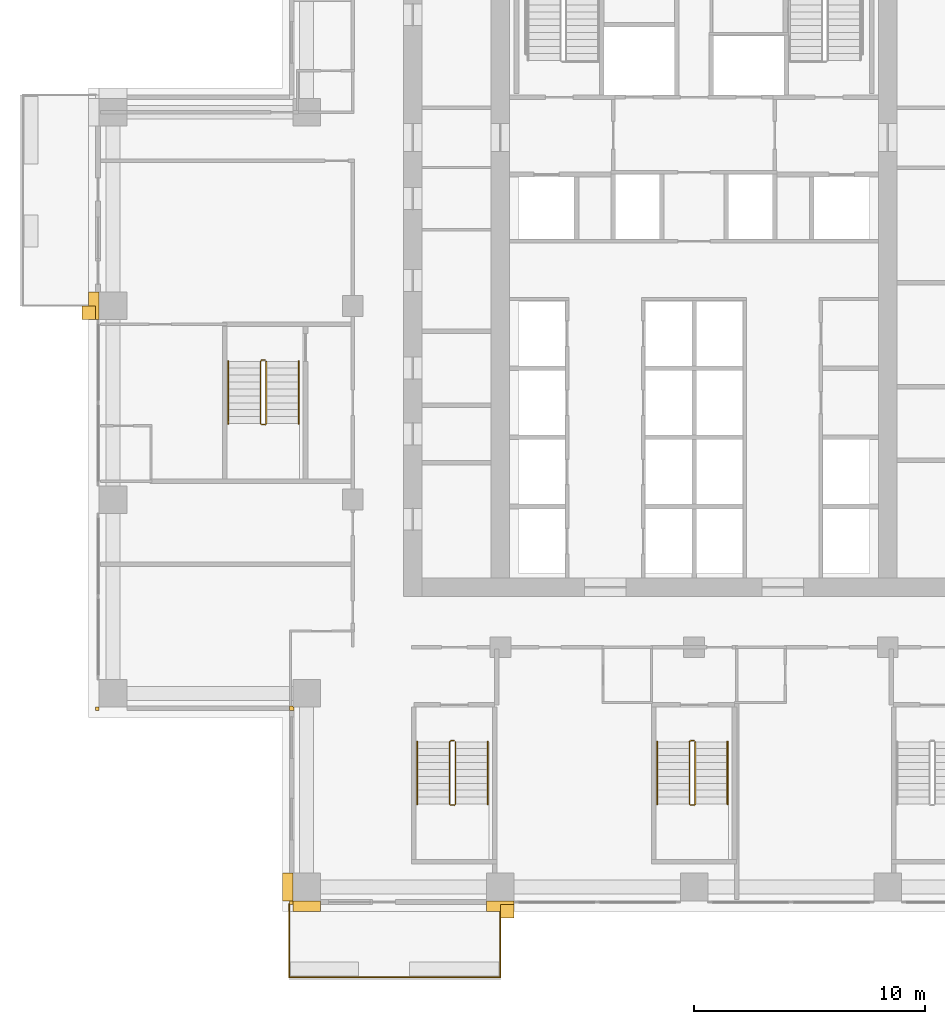
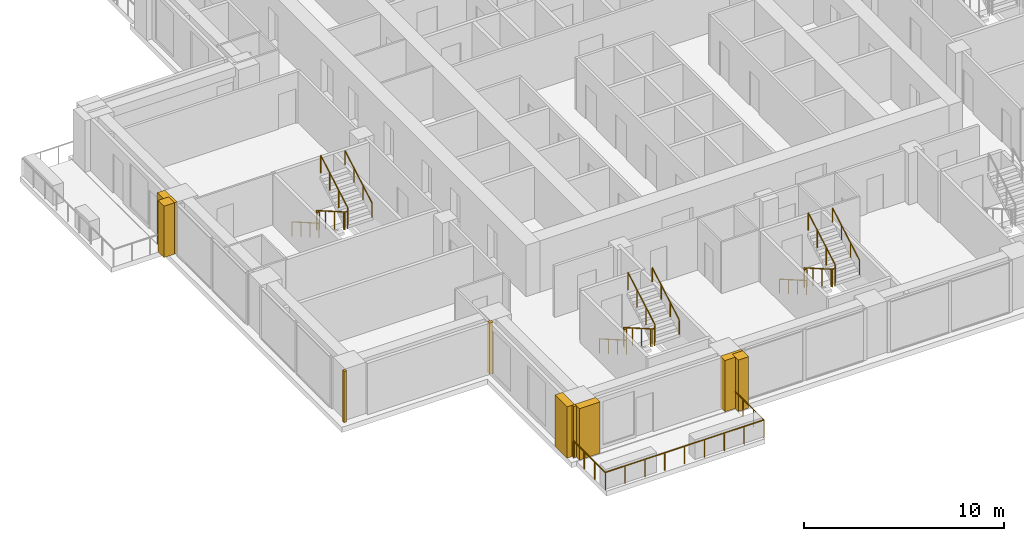
# One storey, part 14 of 17: 10 railings, 9 coverings.
"""IFC4 building model written with IfcOpenShell, lengths in metres."""

from ifc_helpers import new_model, si_unit, direction, frame, origin, origin_2d, place, context, subcontext, project, spatial, polyline, rectangle, outline, extrude, material, type_object, element, save


model = new_model("IFC4")

# Units and contexts
model_context = context("Model", 3, precision=1e-05, world=origin(), true_north=direction((0.0, 1.0)))
body_context = subcontext(model_context, "Body", "Model", "MODEL_VIEW")
ifc_project = project(units=[si_unit("LENGTHUNIT", "METRE"), si_unit("AREAUNIT", "SQUARE_METRE"), si_unit("VOLUMEUNIT", "CUBIC_METRE"), si_unit("PLANEANGLEUNIT", "RADIAN"), si_unit("MASSUNIT", "GRAM", prefix="KILO")], contexts=[model_context])

# Site, building, storey
site_placement = place(None, origin())
site = spatial("IfcSite", under=ifc_project, at=site_placement, CompositionType="ELEMENT")
building_placement = place(site_placement, origin())
building = spatial("IfcBuilding", under=site, at=building_placement, Name="Vermilion Ogive Tower", CompositionType="ELEMENT")
storey_placement = place(building_placement, frame((0.0, 0.0, 83.85009765625)))
storey = spatial("IfcBuildingStorey", under=building, at=storey_placement, Name="L20", CompositionType="ELEMENT", Elevation=83.85009765625)

# Railings
ifc_material_1 = material(Name="Stainless steel and glass", Category="steel")
railing_type_1 = type_object("IfcRailingType", Name="Balcony guard", PredefinedType="GUARDRAIL", material=ifc_material_1)
railing_1_placement = place(storey_placement, frame((-17.550048828125, -21.75, -0.0400390625)))
element("IfcRailing", 1, at=railing_1_placement, inside=storey, type_object=railing_type_1, Name="Guard S01", PredefinedType="GUARDRAIL", context=body_context, shape_type="SweptSolid", body=[
    extrude(rectangle(XDim=0.048095703125, YDim=0.048095703125, at=origin_2d()), frame((0.0, 0.0, 1.076171875), z_axis=(0.0, -1.0, 0.0), x_axis=(1.0, 0.0, 0.0)), (0.0, 0.0, 1.0), 3.159912109375),
    extrude(rectangle(XDim=0.048095703125, YDim=0.048095703125, at=origin_2d()), frame((0.0, -3.159912109375, 1.076171875), z_axis=(1.0, 0.0, 0.0), x_axis=(0.0, 1.0, 0.0)), (0.0, 0.0, 1.0), 9.150146484375),
    extrude(rectangle(XDim=0.048095703125, YDim=0.048095703125, at=origin_2d()), frame((9.150146484375, -3.159912109375, 1.076171875), z_axis=(0.0, 1.0, 0.0), x_axis=(-1.0, 0.0, 0.0)), (0.0, 0.0, 1.0), 3.159912109375),
    extrude(rectangle(XDim=0.0419921875, YDim=0.0419921875, at=origin_2d()), origin(), (0.0, 0.0, 1.0), 1.052001953125),
    extrude(rectangle(XDim=0.0419921875, YDim=0.0419921875, at=origin_2d()), frame((0.0, -1.05322265625, 0.0)), (0.0, 0.0, 1.0), 1.052001953125),
    extrude(rectangle(XDim=0.0419921875, YDim=0.0419921875, at=origin_2d()), frame((0.0, -2.106689453125, 0.0)), (0.0, 0.0, 1.0), 1.052001953125),
    extrude(rectangle(XDim=0.0419921875, YDim=0.0419921875, at=origin_2d()), frame((0.0, -3.159912109375, 0.0)), (0.0, 0.0, 1.0), 1.052001953125),
    extrude(rectangle(XDim=0.0419921875, YDim=0.0419921875, at=origin_2d()), frame((1.143798828125, -3.159912109375, 0.0)), (0.0, 0.0, 1.0), 1.052001953125),
    extrude(rectangle(XDim=0.0419921875, YDim=0.0419921875, at=origin_2d()), frame((2.28759765625, -3.159912109375, 0.0)), (0.0, 0.0, 1.0), 1.052001953125),
    extrude(rectangle(XDim=0.0419921875, YDim=0.0419921875, at=origin_2d()), frame((3.431396484375, -3.159912109375, 0.0)), (0.0, 0.0, 1.0), 1.052001953125),
    extrude(rectangle(XDim=0.0419921875, YDim=0.0419921875, at=origin_2d()), frame((4.5751953125, -3.159912109375, 0.0)), (0.0, 0.0, 1.0), 1.052001953125),
    extrude(rectangle(XDim=0.0419921875, YDim=0.0419921875, at=origin_2d()), frame((5.71875, -3.159912109375, 0.0)), (0.0, 0.0, 1.0), 1.052001953125),
    extrude(rectangle(XDim=0.0419921875, YDim=0.0419921875, at=origin_2d()), frame((6.862548828125, -3.159912109375, 0.0)), (0.0, 0.0, 1.0), 1.052001953125),
    extrude(rectangle(XDim=0.0419921875, YDim=0.0419921875, at=origin_2d()), frame((8.00634765625, -3.159912109375, 0.0)), (0.0, 0.0, 1.0), 1.052001953125),
    extrude(rectangle(XDim=0.0419921875, YDim=0.0419921875, at=origin_2d()), frame((9.150146484375, -3.159912109375, 0.0)), (0.0, 0.0, 1.0), 1.052001953125),
    extrude(rectangle(XDim=0.0419921875, YDim=0.0419921875, at=origin_2d()), frame((9.150146484375, -2.106689453125, 0.0)), (0.0, 0.0, 1.0), 1.052001953125),
    extrude(rectangle(XDim=0.0419921875, YDim=0.0419921875, at=origin_2d()), frame((9.150146484375, -1.05322265625, 0.0)), (0.0, 0.0, 1.0), 1.052001953125),
    extrude(rectangle(XDim=0.0419921875, YDim=0.0419921875, at=origin_2d()), frame((9.150146484375, 0.0, 0.0)), (0.0, 0.0, 1.0), 1.052001953125),
])
ifc_material_2 = material(Name="Steel S355 painted", Category="steel")
railing_type_2 = type_object("IfcRailingType", Name="Stair guard 1100", PredefinedType="GUARDRAIL", material=ifc_material_2)
railing_2_placement = place(storey_placement, frame((-10.39990234375, -14.64990234375, 0.0)))
element("IfcRailing", 2, at=railing_2_placement, inside=storey, type_object=railing_type_2, Name="L20 ST3 stair guard 4", PredefinedType="GUARDRAIL", context=body_context, shape_type="SweptSolid", body=[
    extrude(rectangle(XDim=0.048095703125, YDim=0.048095703125, at=origin_2d()), frame((0.0, 0.0, 1.076171875), z_axis=(-1.0, 0.0, 0.0), x_axis=(0.0, -1.0, 0.0)), (0.0, 0.0, 1.0), 0.150146484375),
    extrude(rectangle(XDim=0.048095703125, YDim=0.048095703125, at=origin_2d()), frame((-0.150146484375, 0.0, 1.076171875), z_axis=(-0.268603158521, -0.268603158521, 0.925043072762), x_axis=(0.707106781187, -0.707106781187, 0.0)), (0.0, 0.0, 1.0), 0.186279296875),
    extrude(rectangle(XDim=0.048095703125, YDim=0.048095703125, at=origin_2d()), frame((-0.2001953125, -0.050048828125, 1.24853515625), z_axis=(0.0, -0.866903762492, 0.498475542607), x_axis=(1.0, 0.0, 0.0)), (0.0, 0.0, 1.0), 3.114501953125),
    extrude(rectangle(XDim=0.048095703125, YDim=0.048095703125, at=origin_2d()), frame((-0.2001953125, -2.75, 2.80078125), z_axis=(0.707106781187, -0.707106781187, 0.0), x_axis=(0.707106781187, 0.707106781187, 0.0)), (0.0, 0.0, 1.0), 0.07080078125),
    extrude(rectangle(XDim=0.048095703125, YDim=0.048095703125, at=origin_2d()), frame((-0.150146484375, -2.800048828125, 2.80078125), z_axis=(1.0, 0.0, 0.0), x_axis=(0.0, 1.0, 0.0)), (0.0, 0.0, 1.0), 0.150146484375),
    extrude(rectangle(XDim=0.048095703125, YDim=0.048095703125, at=origin_2d()), frame((0.0, -2.800048828125, 2.80078125), z_axis=(0.267062837333, 0.268371968888, 0.925556009775), x_axis=(-0.708833529934, 0.705375805398, 0.0)), (0.0, 0.0, 1.0), 0.1865234375),
    extrude(rectangle(XDim=0.048095703125, YDim=0.048095703125, at=origin_2d()), frame((0.0498046875, -2.75, 2.9736328125), z_axis=(0.0, 0.866903762492, 0.498475542607), x_axis=(-1.0, 0.0, 0.0)), (0.0, 0.0, 1.0), 3.114501953125),
    extrude(rectangle(XDim=0.0419921875, YDim=0.0419921875, at=origin_2d()), origin(), (0.0, 0.0, 1.0), 1.052001953125),
    extrude(rectangle(XDim=0.0419921875, YDim=0.0419921875, at=origin_2d()), frame((-0.150146484375, 0.0, 0.0)), (0.0, 0.0, 1.0), 1.052001953125),
    extrude(rectangle(XDim=0.0419921875, YDim=0.0419921875, at=origin_2d()), frame((-0.2001953125, -0.050048828125, 0.17236328125)), (0.0, 0.0, 1.0), 1.052001953125),
    extrude(rectangle(XDim=0.0419921875, YDim=0.0419921875, at=origin_2d()), frame((-0.2001953125, -0.949951171875, 0.68994140625)), (0.0, 0.0, 1.0), 1.052001953125),
    extrude(rectangle(XDim=0.0419921875, YDim=0.0419921875, at=origin_2d()), frame((-0.2001953125, -1.85009765625, 1.207275390625)), (0.0, 0.0, 1.0), 1.052001953125),
    extrude(rectangle(XDim=0.0419921875, YDim=0.0419921875, at=origin_2d()), frame((-0.2001953125, -2.75, 1.724853515625)), (0.0, 0.0, 1.0), 1.052001953125),
    extrude(rectangle(XDim=0.0419921875, YDim=0.0419921875, at=origin_2d()), frame((-0.150146484375, -2.800048828125, 1.724853515625)), (0.0, 0.0, 1.0), 1.052001953125),
    extrude(rectangle(XDim=0.0419921875, YDim=0.0419921875, at=origin_2d()), frame((0.0, -2.800048828125, 1.724853515625)), (0.0, 0.0, 1.0), 1.052001953125),
    extrude(rectangle(XDim=0.0419921875, YDim=0.0419921875, at=origin_2d()), frame((0.0498046875, -2.75, 1.8974609375)), (0.0, 0.0, 1.0), 1.052001953125),
    extrude(rectangle(XDim=0.0419921875, YDim=0.0419921875, at=origin_2d()), frame((0.0498046875, -1.85009765625, 2.4150390625)), (0.0, 0.0, 1.0), 1.052001953125),
    extrude(rectangle(XDim=0.0419921875, YDim=0.0419921875, at=origin_2d()), frame((0.0498046875, -0.949951171875, 2.932373046875)), (0.0, 0.0, 1.0), 1.052001953125),
    extrude(rectangle(XDim=0.0419921875, YDim=0.0419921875, at=origin_2d()), frame((0.0498046875, -0.050048828125, 3.449951171875)), (0.0, 0.0, 1.0), 1.052001953125),
])
railing_3_placement = place(storey_placement, frame((0.0, -14.64990234375, 0.0)))
element("IfcRailing", 3, at=railing_3_placement, inside=storey, type_object=railing_type_2, Name="L20 ST4 stair guard 4", PredefinedType="GUARDRAIL", context=body_context, shape_type="SweptSolid", body=[
    extrude(rectangle(XDim=0.048095703125, YDim=0.048095703125, at=origin_2d()), frame((0.0, 0.0, 1.076171875), z_axis=(-1.0, 0.0, 0.0), x_axis=(0.0, -1.0, 0.0)), (0.0, 0.0, 1.0), 0.14990234375),
    extrude(rectangle(XDim=0.048095703125, YDim=0.048095703125, at=origin_2d()), frame((-0.14990234375, 0.0, 1.076171875), z_axis=(-0.268603158521, -0.268603158521, 0.925043072762), x_axis=(0.707106781187, -0.707106781187, 0.0)), (0.0, 0.0, 1.0), 0.186279296875),
    extrude(rectangle(XDim=0.048095703125, YDim=0.048095703125, at=origin_2d()), frame((-0.199951171875, -0.050048828125, 1.24853515625), z_axis=(0.0, -0.866903762492, 0.498475542607), x_axis=(1.0, 0.0, 0.0)), (0.0, 0.0, 1.0), 3.114501953125),
    extrude(rectangle(XDim=0.048095703125, YDim=0.048095703125, at=origin_2d()), frame((-0.199951171875, -2.75, 2.80078125), z_axis=(0.707106781187, -0.707106781187, 0.0), x_axis=(0.707106781187, 0.707106781187, 0.0)), (0.0, 0.0, 1.0), 0.07080078125),
    extrude(rectangle(XDim=0.048095703125, YDim=0.048095703125, at=origin_2d()), frame((-0.14990234375, -2.800048828125, 2.80078125), z_axis=(1.0, 0.0, 0.0), x_axis=(0.0, 1.0, 0.0)), (0.0, 0.0, 1.0), 0.14990234375),
    extrude(rectangle(XDim=0.048095703125, YDim=0.048095703125, at=origin_2d()), frame((0.0, -2.800048828125, 2.80078125), z_axis=(0.268277960024, 0.268277960024, 0.925231793839), x_axis=(-0.707106781187, 0.707106781187, 0.0)), (0.0, 0.0, 1.0), 0.1865234375),
    extrude(rectangle(XDim=0.048095703125, YDim=0.048095703125, at=origin_2d()), frame((0.050048828125, -2.75, 2.9736328125), z_axis=(0.0, 0.866903762492, 0.498475542607), x_axis=(-1.0, 0.0, 0.0)), (0.0, 0.0, 1.0), 3.114501953125),
    extrude(rectangle(XDim=0.0419921875, YDim=0.0419921875, at=origin_2d()), origin(), (0.0, 0.0, 1.0), 1.052001953125),
    extrude(rectangle(XDim=0.0419921875, YDim=0.0419921875, at=origin_2d()), frame((-0.14990234375, 0.0, 0.0)), (0.0, 0.0, 1.0), 1.052001953125),
    extrude(rectangle(XDim=0.0419921875, YDim=0.0419921875, at=origin_2d()), frame((-0.199951171875, -0.050048828125, 0.17236328125)), (0.0, 0.0, 1.0), 1.052001953125),
    extrude(rectangle(XDim=0.0419921875, YDim=0.0419921875, at=origin_2d()), frame((-0.199951171875, -0.949951171875, 0.68994140625)), (0.0, 0.0, 1.0), 1.052001953125),
    extrude(rectangle(XDim=0.0419921875, YDim=0.0419921875, at=origin_2d()), frame((-0.199951171875, -1.85009765625, 1.207275390625)), (0.0, 0.0, 1.0), 1.052001953125),
    extrude(rectangle(XDim=0.0419921875, YDim=0.0419921875, at=origin_2d()), frame((-0.199951171875, -2.75, 1.724853515625)), (0.0, 0.0, 1.0), 1.052001953125),
    extrude(rectangle(XDim=0.0419921875, YDim=0.0419921875, at=origin_2d()), frame((-0.14990234375, -2.800048828125, 1.724853515625)), (0.0, 0.0, 1.0), 1.052001953125),
    extrude(rectangle(XDim=0.0419921875, YDim=0.0419921875, at=origin_2d()), frame((0.0, -2.800048828125, 1.724853515625)), (0.0, 0.0, 1.0), 1.052001953125),
    extrude(rectangle(XDim=0.0419921875, YDim=0.0419921875, at=origin_2d()), frame((0.050048828125, -2.75, 1.8974609375)), (0.0, 0.0, 1.0), 1.052001953125),
    extrude(rectangle(XDim=0.0419921875, YDim=0.0419921875, at=origin_2d()), frame((0.050048828125, -1.85009765625, 2.4150390625)), (0.0, 0.0, 1.0), 1.052001953125),
    extrude(rectangle(XDim=0.0419921875, YDim=0.0419921875, at=origin_2d()), frame((0.050048828125, -0.949951171875, 2.932373046875)), (0.0, 0.0, 1.0), 1.052001953125),
    extrude(rectangle(XDim=0.0419921875, YDim=0.0419921875, at=origin_2d()), frame((0.050048828125, -0.050048828125, 3.449951171875)), (0.0, 0.0, 1.0), 1.052001953125),
])
railing_4_placement = place(storey_placement, frame((-18.60009765625, 1.85009765625, 0.0)))
element("IfcRailing", 4, at=railing_4_placement, inside=storey, type_object=railing_type_2, Name="L20 ST9 stair guard 4", PredefinedType="GUARDRAIL", context=body_context, shape_type="SweptSolid", body=[
    extrude(rectangle(XDim=0.048095703125, YDim=0.048095703125, at=origin_2d()), frame((0.0, 0.0, 1.076171875), z_axis=(-1.0, 0.0, 0.0), x_axis=(0.0, -1.0, 0.0)), (0.0, 0.0, 1.0), 0.14990234375),
    extrude(rectangle(XDim=0.048095703125, YDim=0.048095703125, at=origin_2d()), frame((-0.14990234375, 0.0, 1.076171875), z_axis=(-0.268603158521, -0.268603158521, 0.925043072762), x_axis=(0.707106781187, -0.707106781187, 0.0)), (0.0, 0.0, 1.0), 0.186279296875),
    extrude(rectangle(XDim=0.048095703125, YDim=0.048095703125, at=origin_2d()), frame((-0.199951171875, -0.050048828125, 1.24853515625), z_axis=(0.0, -0.866903762492, 0.498475542607), x_axis=(1.0, 0.0, 0.0)), (0.0, 0.0, 1.0), 3.114501953125),
    extrude(rectangle(XDim=0.048095703125, YDim=0.048095703125, at=origin_2d()), frame((-0.199951171875, -2.75, 2.80078125), z_axis=(0.707106781187, -0.707106781187, 0.0), x_axis=(0.707106781187, 0.707106781187, 0.0)), (0.0, 0.0, 1.0), 0.07080078125),
    extrude(rectangle(XDim=0.048095703125, YDim=0.048095703125, at=origin_2d()), frame((-0.14990234375, -2.800048828125, 2.80078125), z_axis=(1.0, 0.0, 0.0), x_axis=(0.0, 1.0, 0.0)), (0.0, 0.0, 1.0), 0.14990234375),
    extrude(rectangle(XDim=0.048095703125, YDim=0.048095703125, at=origin_2d()), frame((0.0, -2.800048828125, 2.80078125), z_axis=(0.268277960024, 0.268277960024, 0.925231793839), x_axis=(-0.707106781187, 0.707106781187, 0.0)), (0.0, 0.0, 1.0), 0.1865234375),
    extrude(rectangle(XDim=0.048095703125, YDim=0.048095703125, at=origin_2d()), frame((0.050048828125, -2.75, 2.9736328125), z_axis=(0.0, 0.866903762492, 0.498475542607), x_axis=(-1.0, 0.0, 0.0)), (0.0, 0.0, 1.0), 3.114501953125),
    extrude(rectangle(XDim=0.0419921875, YDim=0.0419921875, at=origin_2d()), origin(), (0.0, 0.0, 1.0), 1.052001953125),
    extrude(rectangle(XDim=0.0419921875, YDim=0.0419921875, at=origin_2d()), frame((-0.14990234375, 0.0, 0.0)), (0.0, 0.0, 1.0), 1.052001953125),
    extrude(rectangle(XDim=0.0419921875, YDim=0.0419921875, at=origin_2d()), frame((-0.199951171875, -0.050048828125, 0.17236328125)), (0.0, 0.0, 1.0), 1.052001953125),
    extrude(rectangle(XDim=0.0419921875, YDim=0.0419921875, at=origin_2d()), frame((-0.199951171875, -0.949951171875, 0.68994140625)), (0.0, 0.0, 1.0), 1.052001953125),
    extrude(rectangle(XDim=0.0419921875, YDim=0.0419921875, at=origin_2d()), frame((-0.199951171875, -1.85009765625, 1.207275390625)), (0.0, 0.0, 1.0), 1.052001953125),
    extrude(rectangle(XDim=0.0419921875, YDim=0.0419921875, at=origin_2d()), frame((-0.199951171875, -2.75, 1.724853515625)), (0.0, 0.0, 1.0), 1.052001953125),
    extrude(rectangle(XDim=0.0419921875, YDim=0.0419921875, at=origin_2d()), frame((-0.14990234375, -2.800048828125, 1.724853515625)), (0.0, 0.0, 1.0), 1.052001953125),
    extrude(rectangle(XDim=0.0419921875, YDim=0.0419921875, at=origin_2d()), frame((0.0, -2.800048828125, 1.724853515625)), (0.0, 0.0, 1.0), 1.052001953125),
    extrude(rectangle(XDim=0.0419921875, YDim=0.0419921875, at=origin_2d()), frame((0.050048828125, -2.75, 1.8974609375)), (0.0, 0.0, 1.0), 1.052001953125),
    extrude(rectangle(XDim=0.0419921875, YDim=0.0419921875, at=origin_2d()), frame((0.050048828125, -1.85009765625, 2.4150390625)), (0.0, 0.0, 1.0), 1.052001953125),
    extrude(rectangle(XDim=0.0419921875, YDim=0.0419921875, at=origin_2d()), frame((0.050048828125, -0.949951171875, 2.932373046875)), (0.0, 0.0, 1.0), 1.052001953125),
    extrude(rectangle(XDim=0.0419921875, YDim=0.0419921875, at=origin_2d()), frame((0.050048828125, -0.050048828125, 3.449951171875)), (0.0, 0.0, 1.0), 1.052001953125),
])
ifc_material_3 = material(Name="Stainless steel", Category="steel")
railing_type_3 = type_object("IfcRailingType", Name="Stair handrail 900", PredefinedType="HANDRAIL", material=ifc_material_3)
railing_5_placement = place(storey_placement, frame((-12.0, -14.699951171875, 0.17236328125)))
element("IfcRailing", 5, at=railing_5_placement, inside=storey, type_object=railing_type_3, Name="L20 ST3 stair handrail 1", PredefinedType="HANDRAIL", context=body_context, shape_type="SweptSolid", body=[
    extrude(rectangle(XDim=0.048095703125, YDim=0.048095703125, at=origin_2d()), frame((0.0, 0.0, 0.8759765625), z_axis=(0.0, -0.866903762492, 0.498475542607), x_axis=(1.0, 0.0, 0.0)), (0.0, 0.0, 1.0), 3.114501953125),
    extrude(rectangle(XDim=0.0419921875, YDim=0.0419921875, at=origin_2d()), origin(), (0.0, 0.0, 1.0), 0.851806640625),
    extrude(rectangle(XDim=0.0419921875, YDim=0.0419921875, at=origin_2d()), frame((0.0, -0.89990234375, 0.517578125)), (0.0, 0.0, 1.0), 0.851806640625),
    extrude(rectangle(XDim=0.0419921875, YDim=0.0419921875, at=origin_2d()), frame((0.0, -1.800048828125, 1.034912109375)), (0.0, 0.0, 1.0), 0.851806640625),
    extrude(rectangle(XDim=0.0419921875, YDim=0.0419921875, at=origin_2d()), frame((0.0, -2.699951171875, 1.552490234375)), (0.0, 0.0, 1.0), 0.851806640625),
])
railing_6_placement = place(storey_placement, frame((-8.949951171875, -17.39990234375, 1.8974609375)))
element("IfcRailing", 6, at=railing_6_placement, inside=storey, type_object=railing_type_3, Name="L20 ST3 stair handrail 2", PredefinedType="HANDRAIL", context=body_context, shape_type="SweptSolid", body=[
    extrude(rectangle(XDim=0.048095703125, YDim=0.048095703125, at=origin_2d()), frame((0.0, 0.0, 0.8759765625), z_axis=(0.0, 0.866903762492, 0.498475542607), x_axis=(-1.0, 0.0, 0.0)), (0.0, 0.0, 1.0), 3.114501953125),
    extrude(rectangle(XDim=0.0419921875, YDim=0.0419921875, at=origin_2d()), origin(), (0.0, 0.0, 1.0), 0.851806640625),
    extrude(rectangle(XDim=0.0419921875, YDim=0.0419921875, at=origin_2d()), frame((0.0, 0.89990234375, 0.517578125)), (0.0, 0.0, 1.0), 0.851806640625),
    extrude(rectangle(XDim=0.0419921875, YDim=0.0419921875, at=origin_2d()), frame((0.0, 1.800048828125, 1.034912109375)), (0.0, 0.0, 1.0), 0.851806640625),
    extrude(rectangle(XDim=0.0419921875, YDim=0.0419921875, at=origin_2d()), frame((0.0, 2.699951171875, 1.552490234375)), (0.0, 0.0, 1.0), 0.851806640625),
])
railing_7_placement = place(storey_placement, frame((-1.60009765625, -14.699951171875, 0.17236328125)))
element("IfcRailing", 7, at=railing_7_placement, inside=storey, type_object=railing_type_3, Name="L20 ST4 stair handrail 1", PredefinedType="HANDRAIL", context=body_context, shape_type="SweptSolid", body=[
    extrude(rectangle(XDim=0.048095703125, YDim=0.048095703125, at=origin_2d()), frame((0.0, 0.0, 0.8759765625), z_axis=(0.0, -0.866903762492, 0.498475542607), x_axis=(1.0, 0.0, 0.0)), (0.0, 0.0, 1.0), 3.114501953125),
    extrude(rectangle(XDim=0.0419921875, YDim=0.0419921875, at=origin_2d()), origin(), (0.0, 0.0, 1.0), 0.851806640625),
    extrude(rectangle(XDim=0.0419921875, YDim=0.0419921875, at=origin_2d()), frame((0.0, -0.89990234375, 0.517578125)), (0.0, 0.0, 1.0), 0.851806640625),
    extrude(rectangle(XDim=0.0419921875, YDim=0.0419921875, at=origin_2d()), frame((0.0, -1.800048828125, 1.034912109375)), (0.0, 0.0, 1.0), 0.851806640625),
    extrude(rectangle(XDim=0.0419921875, YDim=0.0419921875, at=origin_2d()), frame((0.0, -2.699951171875, 1.552490234375)), (0.0, 0.0, 1.0), 0.851806640625),
])
railing_8_placement = place(storey_placement, frame((1.449951171875, -17.39990234375, 1.8974609375)))
element("IfcRailing", 8, at=railing_8_placement, inside=storey, type_object=railing_type_3, Name="L20 ST4 stair handrail 2", PredefinedType="HANDRAIL", context=body_context, shape_type="SweptSolid", body=[
    extrude(rectangle(XDim=0.048095703125, YDim=0.048095703125, at=origin_2d()), frame((0.0, 0.0, 0.8759765625), z_axis=(0.0, 0.866903762492, 0.498475542607), x_axis=(-1.0, 0.0, 0.0)), (0.0, 0.0, 1.0), 3.114501953125),
    extrude(rectangle(XDim=0.0419921875, YDim=0.0419921875, at=origin_2d()), origin(), (0.0, 0.0, 1.0), 0.851806640625),
    extrude(rectangle(XDim=0.0419921875, YDim=0.0419921875, at=origin_2d()), frame((0.0, 0.89990234375, 0.517578125)), (0.0, 0.0, 1.0), 0.851806640625),
    extrude(rectangle(XDim=0.0419921875, YDim=0.0419921875, at=origin_2d()), frame((0.0, 1.800048828125, 1.034912109375)), (0.0, 0.0, 1.0), 0.851806640625),
    extrude(rectangle(XDim=0.0419921875, YDim=0.0419921875, at=origin_2d()), frame((0.0, 2.699951171875, 1.552490234375)), (0.0, 0.0, 1.0), 0.851806640625),
])
railing_9_placement = place(storey_placement, frame((-20.199951171875, 1.800048828125, 0.17236328125)))
element("IfcRailing", 9, at=railing_9_placement, inside=storey, type_object=railing_type_3, Name="L20 ST9 stair handrail 1", PredefinedType="HANDRAIL", context=body_context, shape_type="SweptSolid", body=[
    extrude(rectangle(XDim=0.048095703125, YDim=0.048095703125, at=origin_2d()), frame((0.0, 0.0, 0.8759765625), z_axis=(0.0, -0.866903762492, 0.498475542607), x_axis=(1.0, 0.0, 0.0)), (0.0, 0.0, 1.0), 3.114501953125),
    extrude(rectangle(XDim=0.0419921875, YDim=0.0419921875, at=origin_2d()), origin(), (0.0, 0.0, 1.0), 0.851806640625),
    extrude(rectangle(XDim=0.0419921875, YDim=0.0419921875, at=origin_2d()), frame((0.0, -0.89990234375, 0.517578125)), (0.0, 0.0, 1.0), 0.851806640625),
    extrude(rectangle(XDim=0.0419921875, YDim=0.0419921875, at=origin_2d()), frame((0.0, -1.800048828125, 1.034912109375)), (0.0, 0.0, 1.0), 0.851806640625),
    extrude(rectangle(XDim=0.0419921875, YDim=0.0419921875, at=origin_2d()), frame((0.0, -2.699951171875, 1.552490234375)), (0.0, 0.0, 1.0), 0.851806640625),
])
railing_10_placement = place(storey_placement, frame((-17.14990234375, -0.89990234375, 1.8974609375)))
element("IfcRailing", 10, at=railing_10_placement, inside=storey, type_object=railing_type_3, Name="L20 ST9 stair handrail 2", PredefinedType="HANDRAIL", context=body_context, shape_type="SweptSolid", body=[
    extrude(rectangle(XDim=0.048095703125, YDim=0.048095703125, at=origin_2d()), frame((0.0, 0.0, 0.8759765625), z_axis=(0.0, 0.866903762492, 0.498475542607), x_axis=(-1.0, 0.0, 0.0)), (0.0, 0.0, 1.0), 3.114501953125),
    extrude(rectangle(XDim=0.0419921875, YDim=0.0419921875, at=origin_2d()), origin(), (0.0, 0.0, 1.0), 0.851806640625),
    extrude(rectangle(XDim=0.0419921875, YDim=0.0419921875, at=origin_2d()), frame((0.0, 0.89990234375, 0.517578125)), (0.0, 0.0, 1.0), 0.851806640625),
    extrude(rectangle(XDim=0.0419921875, YDim=0.0419921875, at=origin_2d()), frame((0.0, 1.800048828125, 1.034912109375)), (0.0, 0.0, 1.0), 0.851806640625),
    extrude(rectangle(XDim=0.0419921875, YDim=0.0419921875, at=origin_2d()), frame((0.0, 2.699951171875, 1.552490234375)), (0.0, 0.0, 1.0), 0.851806640625),
])

# Coverings
ifc_material_4 = material(Name="Stone cladding", Category="masonry")
covering_type_1 = type_object("IfcCoveringType", Name="Stone corner buttress", PredefinedType="CLADDING", material=ifc_material_4)
covering_1_placement = place(storey_placement, origin())
element("IfcCovering", 11, at=covering_1_placement, inside=storey, type_object=covering_type_1, Name="Stone crease pier SK", PredefinedType="CLADDING", context=body_context, shape_type="SweptSolid", body=[
    extrude(outline(polyline([(-8.39990234375, -22.35009765625), (-7.800048828125, -22.35009765625), (-7.800048828125, -21.75), (-8.39990234375, -21.75), (-8.39990234375, -22.35009765625)])), origin(), (0.0, 0.0, 1.0), 3.1298828125),
])
covering_2_placement = place(storey_placement, origin())
element("IfcCovering", 12, at=covering_2_placement, inside=storey, type_object=covering_type_1, Name="Stone crease pier WK", PredefinedType="CLADDING", context=body_context, shape_type="SweptSolid", body=[
    extrude(outline(polyline([(-26.550048828125, 4.199951171875), (-26.550048828125, 3.60009765625), (-25.949951171875, 3.60009765625), (-25.949951171875, 4.199951171875), (-26.550048828125, 4.199951171875)])), origin(), (0.0, 0.0, 1.0), 3.1298828125),
])
ifc_material_5 = material(Name="Stone cladding", Category="masonry")
covering_type_2 = type_object("IfcCoveringType", Name="Stone pier", PredefinedType="CLADDING", material=ifc_material_5)
covering_3_placement = place(storey_placement, origin())
element("IfcCovering", 13, at=covering_3_placement, inside=storey, type_object=covering_type_2, Name="Stone corner pier WE1", PredefinedType="CLADDING", context=body_context, shape_type="SweptSolid", body=[
    extrude(outline(polyline([(-25.949951171875, -13.199951171875), (-25.800048828125, -13.199951171875), (-25.800048828125, -13.35009765625), (-25.949951171875, -13.35009765625), (-25.949951171875, -13.199951171875)])), origin(), (0.0, 0.0, 1.0), 3.1298828125),
])
covering_4_placement = place(storey_placement, origin())
element("IfcCovering", 14, at=covering_4_placement, inside=storey, type_object=covering_type_2, Name="Stone corner pier X7E1", PredefinedType="CLADDING", context=body_context, shape_type="SweptSolid", body=[
    extrude(outline(polyline([(-17.39990234375, -13.14990234375), (-17.39990234375, -13.199951171875), (-17.35009765625, -13.199951171875), (-17.35009765625, -13.35009765625), (-17.550048828125, -13.35009765625), (-17.550048828125, -13.14990234375), (-17.39990234375, -13.14990234375)])), origin(), (0.0, 0.0, 1.0), 3.1298828125),
])
covering_5_placement = place(storey_placement, origin())
element("IfcCovering", 15, at=covering_5_placement, inside=storey, type_object=covering_type_2, Name="Stone corner pier X8E1", PredefinedType="CLADDING", context=body_context, shape_type="SweptSolid", body=[
    extrude(outline(polyline([(-17.550048828125, -21.60009765625), (-17.39990234375, -21.60009765625), (-17.39990234375, -21.60009765625), (-17.39990234375, -21.75), (-17.550048828125, -21.75), (-17.550048828125, -21.60009765625)])), origin(), (0.0, 0.0, 1.0), 3.1298828125),
])
covering_6_placement = place(storey_placement, origin())
element("IfcCovering", 16, at=covering_6_placement, inside=storey, type_object=covering_type_2, Name="Stone pier P-0084-210", PredefinedType="CLADDING", context=body_context, shape_type="SweptSolid", body=[
    extrude(outline(polyline([(-7.800048828125, -21.75), (-8.39990234375, -21.75), (-8.39990234375, -22.050048828125), (-9.0, -22.050048828125), (-9.0, -21.60009765625), (-7.800048828125, -21.60009765625), (-7.800048828125, -21.75)])), origin(), (0.0, 0.0, 1.0), 3.1298828125),
])
covering_7_placement = place(storey_placement, origin())
element("IfcCovering", 17, at=covering_7_placement, inside=storey, type_object=covering_type_2, Name="Stone pier P-0168-210S", PredefinedType="CLADDING", context=body_context, shape_type="SweptSolid", body=[
    extrude(outline(polyline([(-16.199951171875, -22.050048828125), (-17.39990234375, -22.050048828125), (-17.39990234375, -21.60009765625), (-16.199951171875, -21.60009765625), (-16.199951171875, -22.050048828125)])), origin(), (0.0, 0.0, 1.0), 3.1298828125),
])
covering_8_placement = place(storey_placement, origin())
element("IfcCovering", 18, at=covering_8_placement, inside=storey, type_object=covering_type_2, Name="Stone pier P-0168-210X8", PredefinedType="CLADDING", context=body_context, shape_type="SweptSolid", body=[
    extrude(outline(polyline([(-17.85009765625, -20.39990234375), (-17.39990234375, -20.39990234375), (-17.39990234375, -21.60009765625), (-17.85009765625, -21.60009765625), (-17.85009765625, -20.39990234375)])), origin(), (0.0, 0.0, 1.0), 3.1298828125),
])
covering_9_placement = place(storey_placement, origin())
element("IfcCovering", 19, at=covering_9_placement, inside=storey, type_object=covering_type_2, Name="Stone pier P-0252+042", PredefinedType="CLADDING", context=body_context, shape_type="SweptSolid", body=[
    extrude(outline(polyline([(-25.800048828125, 3.60009765625), (-25.949951171875, 3.60009765625), (-25.949951171875, 4.199951171875), (-26.25, 4.199951171875), (-26.25, 4.800048828125), (-25.800048828125, 4.800048828125), (-25.800048828125, 4.800048828125), (-25.800048828125, 3.60009765625)])), origin(), (0.0, 0.0, 1.0), 3.1298828125),
])

save(model, "model.ifc")
